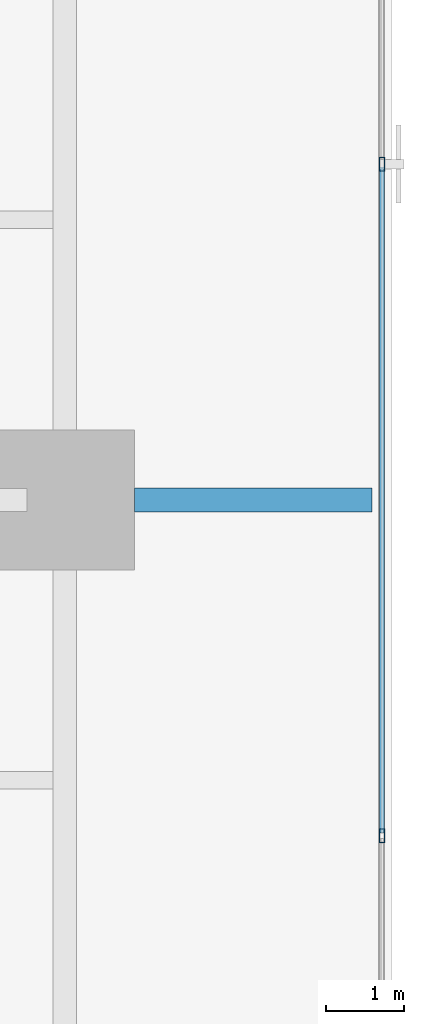
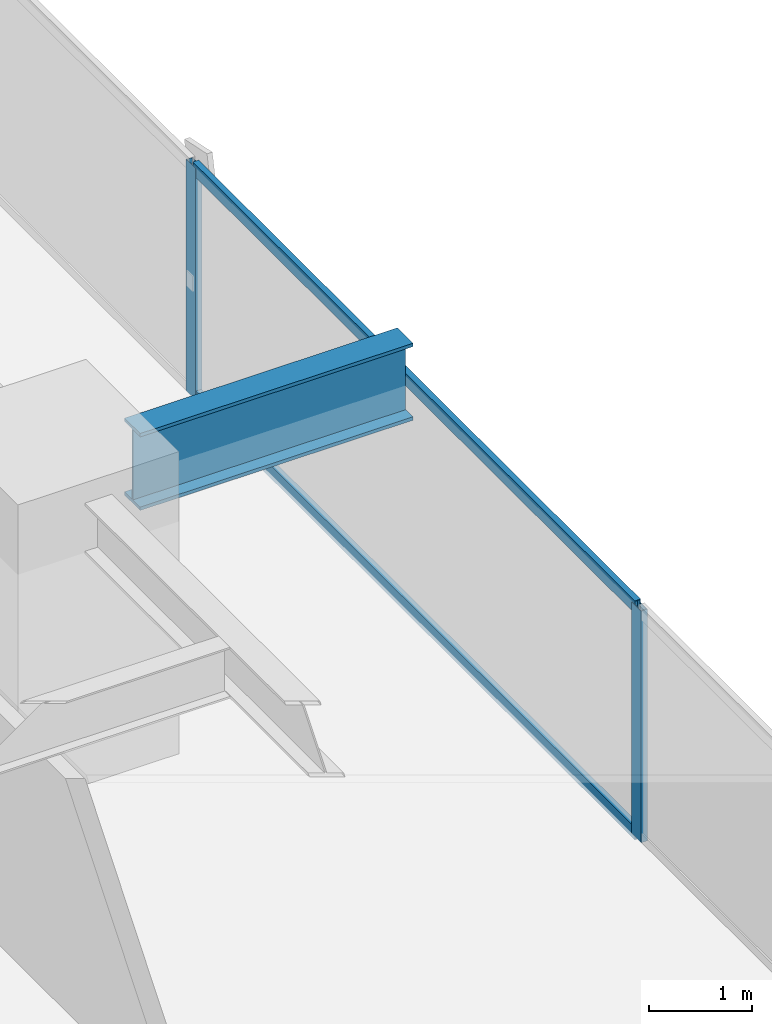
# One storey, part 15 of 33: 4 members, 1 beam, 1 element without a shape of its own.
"""IFC4 building model written with IfcOpenShell, lengths in metres."""

from ifc_helpers import new_model, si_unit, direction, frame, origin, origin_2d, place, context, subcontext, project, spatial, hollow_rectangle, i_section, extrude, source, transform, mapped, material, layer, layer_set, material_profile, profile_set, type_object, element, aggregate, save


model = new_model("IFC4")

# Units and contexts
model_context = context("Model", 3, precision=1e-05, world=origin(), true_north=direction((0.0, 1.0)))
body_context = subcontext(model_context, "Body", "Model", "MODEL_VIEW")
ifc_project = project(units=[si_unit("LENGTHUNIT", "METRE"), si_unit("AREAUNIT", "SQUARE_METRE"), si_unit("VOLUMEUNIT", "CUBIC_METRE"), si_unit("PLANEANGLEUNIT", "RADIAN"), si_unit("MASSUNIT", "GRAM", prefix="KILO")], contexts=[model_context])

# Site, building, storey
site_placement = place(None, origin())
site = spatial("IfcSite", under=ifc_project, at=site_placement, CompositionType="ELEMENT")
building_placement = place(site_placement, origin())
building = spatial("IfcBuilding", under=site, at=building_placement, Name="Sumidabori Civic Tower", CompositionType="ELEMENT")
storey_placement = place(building_placement, frame((0.0, 0.0, 59.60009765625)))
storey = spatial("IfcBuildingStorey", under=building, at=storey_placement, Name="L15", CompositionType="ELEMENT", Elevation=59.60009765625)

# Beam
ifc_material_1 = material(Name="Steel SN490", Category="steel")
ifc_material_profile_1 = material_profile(ifc_material_1, i_section(OverallWidth=0.302001953125, OverallDepth=0.909912109375, WebThickness=0.02099609375, FlangeThickness=0.0400390625, at=origin_2d()), Name="HE 900 M")
ifc_profile_set_1 = profile_set([ifc_material_profile_1], Name="Steel SN490")
beam_type = type_object("IfcBeamType", Name="BM-Z1-EDGE", PredefinedType="SPANDREL", material=ifc_profile_set_1)
shared_shape_1 = source(origin(), body_context, "Body", "SweptSolid", [
    extrude(i_section(OverallWidth=0.302001953125, OverallDepth=0.909912109375, WebThickness=0.02099609375, FlangeThickness=0.0400390625, at=origin_2d()), origin(), (0.0, 0.0, 1.0), 3.050048828125),
])
beam_placement = place(storey_placement, frame((23.699951171875, 0.0, 2.90478515625), z_axis=(1.0, 0.0, 0.0), x_axis=(0.0, 1.0, 0.0)))
element("IfcBeam", 1, at=beam_placement, inside=storey, type_object=beam_type, Name="Perimeter Overhang Beam L15 E-45", PredefinedType="SPANDREL", context=body_context, shape_type="MappedRepresentation", body=[
    mapped(shared_shape_1, transform((0.0, 0.0, 0.0), x_axis=(1.0, 0.0, 0.0), y_axis=(0.0, 1.0, 0.0), z_axis=(0.0, 0.0, 1.0), scale=1.0)),
])

# Curtain wall, members
ifc_material_2 = material(Name="Anodised Bronze Aluminium AW-6063-T6", Category="aluminium")
ifc_layer = layer(ifc_material_2, 0.179931640625, Name="Anodised Bronze Aluminium AW-6063-T6")
ifc_layer_set = layer_set([ifc_layer], Name="Anodised Bronze Aluminium AW-6063-T6")
curtain_wall_type = type_object("IfcCurtainWallType", Name="CW-SYS-2", PredefinedType="NOTDEFINED", material=ifc_layer_set)
curtain_wall_placement = place(storey_placement, origin())
curtain_wall = element("IfcCurtainWall", 2, at=curtain_wall_placement, inside=storey, type_object=curtain_wall_type, Name="Curtain Wall CW:L15:R04", PredefinedType="NOTDEFINED")
ifc_material_profile_2 = material_profile(ifc_material_2, hollow_rectangle(XDim=0.070068359375, YDim=0.179931640625, WallThickness=0.006103515625, at=origin_2d()), Name="ALU MULLION 180x70")
ifc_profile_set_2 = profile_set([ifc_material_profile_2], Name="Anodised Bronze Aluminium AW-6063-T6")
member_type_1 = type_object("IfcMemberType", Name="CW-MUL-180", PredefinedType="MULLION", material=ifc_profile_set_2)
shared_shape_2 = source(origin(), body_context, "Body", "SweptSolid", [
    extrude(hollow_rectangle(XDim=0.070068359375, YDim=0.179931640625, WallThickness=0.006103515625, at=origin_2d()), origin(), (0.0, 0.0, 1.0), 2.739990234375),
])
member_1_placement = place(storey_placement, frame((26.8798828125, -4.31396484375, 0.0), z_axis=(0.0, 0.0, 1.0), x_axis=(-1.0, 0.0, 0.0)))
member_1 = element("IfcMember", 3, at=member_1_placement, type_object=member_type_1, Name="CW-2 mullion 3", PredefinedType="MULLION", context=body_context, shape_type="MappedRepresentation", body=[
    mapped(shared_shape_2, transform((0.0, 0.0, 0.0), x_axis=(1.0, 0.0, 0.0), y_axis=(0.0, 1.0, 0.0), z_axis=(0.0, 0.0, 1.0), scale=1.0)),
])
member_2_placement = place(storey_placement, frame((26.8798828125, 4.31396484375, 0.0), z_axis=(0.0, 0.0, 1.0), x_axis=(-1.0, 0.0, 0.0)))
member_2 = element("IfcMember", 4, at=member_2_placement, type_object=member_type_1, Name="CW-2 mullion 4", PredefinedType="MULLION", context=body_context, shape_type="MappedRepresentation", body=[
    mapped(shared_shape_2, transform((0.0, 0.0, 0.0), x_axis=(1.0, 0.0, 0.0), y_axis=(0.0, 1.0, 0.0), z_axis=(0.0, 0.0, 1.0), scale=1.0)),
])
ifc_material_profile_3 = material_profile(ifc_material_2, hollow_rectangle(XDim=0.06494140625, YDim=0.14990234375, WallThickness=0.0048828125, at=origin_2d()), Name="ALU TRANSOM 150x65")
ifc_profile_set_3 = profile_set([ifc_material_profile_3], Name="Anodised Bronze Aluminium AW-6063-T6")
member_type_2 = type_object("IfcMemberType", Name="CW-TRN-150", PredefinedType="USERDEFINED", material=ifc_profile_set_3)
shared_shape_3 = source(origin(), body_context, "Body", "SweptSolid", [
    extrude(hollow_rectangle(XDim=0.06494140625, YDim=0.14990234375, WallThickness=0.0048828125, at=origin_2d()), origin(), (0.0, 0.0, 1.0), 8.55810546875),
])
member_3_placement = place(storey_placement, frame((26.8798828125, -4.279052734375, 0.032470703125), z_axis=(0.0, 1.0, 0.0), x_axis=(-1.0, 0.0, 0.0)))
member_3 = element("IfcMember", 5, at=member_3_placement, type_object=member_type_2, Name="CW-2 transom 3.1", ObjectType="TRANSOM", PredefinedType="USERDEFINED", context=body_context, shape_type="MappedRepresentation", body=[
    mapped(shared_shape_3, transform((0.0, 0.0, 0.0), x_axis=(1.0, 0.0, 0.0), y_axis=(0.0, 1.0, 0.0), z_axis=(0.0, 0.0, 1.0), scale=1.0)),
])
member_4_placement = place(storey_placement, frame((26.8798828125, -4.279052734375, 2.70751953125), z_axis=(0.0, 1.0, 0.0), x_axis=(-1.0, 0.0, 0.0)))
member_4 = element("IfcMember", 6, at=member_4_placement, type_object=member_type_2, Name="CW-2 transom 3.2", ObjectType="TRANSOM", PredefinedType="USERDEFINED", context=body_context, shape_type="MappedRepresentation", body=[
    mapped(shared_shape_3, transform((0.0, 0.0, 0.0), x_axis=(1.0, 0.0, 0.0), y_axis=(0.0, 1.0, 0.0), z_axis=(0.0, 0.0, 1.0), scale=1.0)),
])
aggregate(curtain_wall, [member_1, member_2, member_3, member_4])

save(model, "model.ifc")
